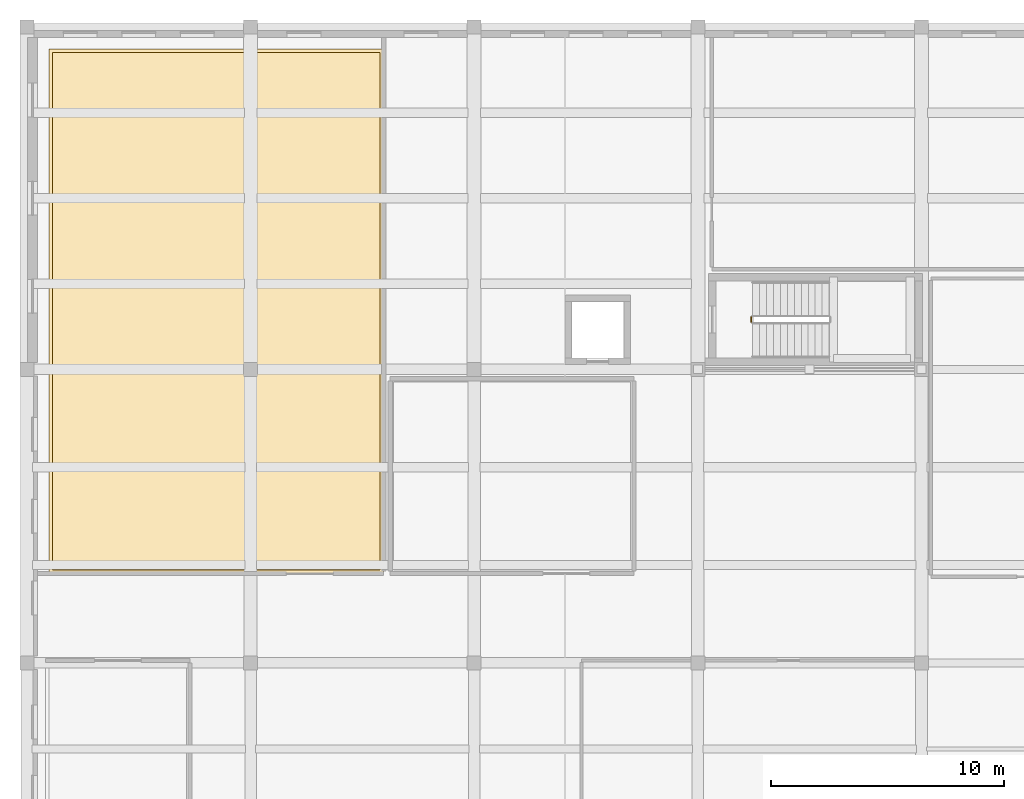
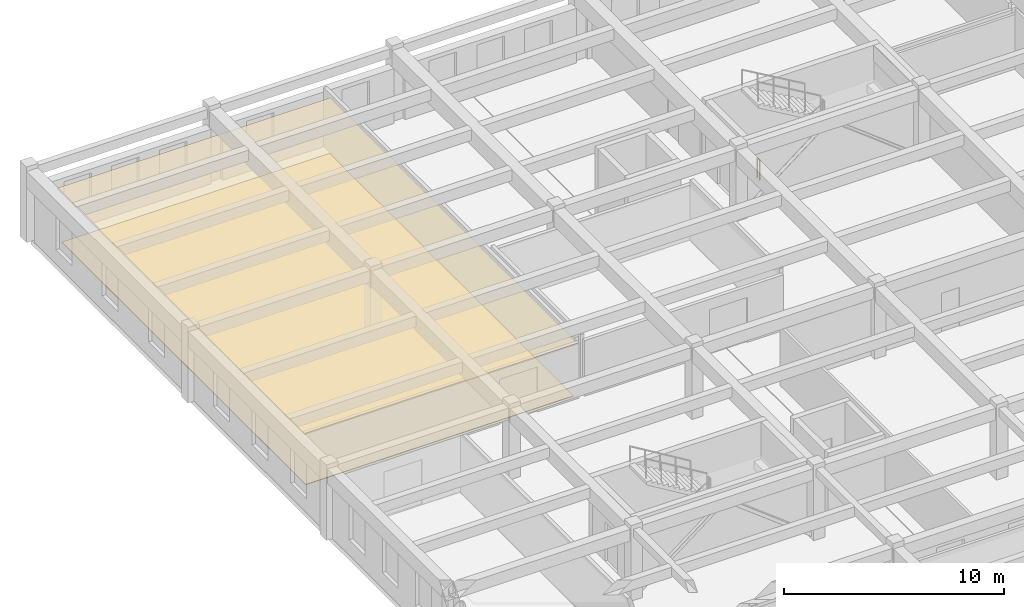
# One storey, part 39 of 46: 2 coverings, 1 railing.
"""IFC4 building model written with IfcOpenShell, lengths in metres."""

from ifc_helpers import new_model, si_unit, direction, frame, origin, origin_2d, place, context, subcontext, project, spatial, polyline, circle, outline, extrude, material, layer, layer_set, type_object, element, save


model = new_model("IFC4")

# Units and contexts
model_context = context("Model", 3, precision=1e-05, world=origin(), true_north=direction((0.0, 1.0)))
body_context = subcontext(model_context, "Body", "Model", "MODEL_VIEW")
ifc_project = project(units=[si_unit("LENGTHUNIT", "METRE"), si_unit("AREAUNIT", "SQUARE_METRE"), si_unit("VOLUMEUNIT", "CUBIC_METRE"), si_unit("PLANEANGLEUNIT", "RADIAN"), si_unit("MASSUNIT", "GRAM", prefix="KILO")], contexts=[model_context])

# Site, building, storey
site_placement = place(None, origin())
site = spatial("IfcSite", under=ifc_project, at=site_placement, CompositionType="ELEMENT")
building_placement = place(site_placement, origin())
building = spatial("IfcBuilding", under=site, at=building_placement, Name="Tarnavel Promenade Courthouse", CompositionType="ELEMENT")
storey_placement = place(building_placement, frame((0.0, 0.0, 14.39990234375)))
storey = spatial("IfcBuildingStorey", under=building, at=storey_placement, Name="L04", CompositionType="ELEMENT", Elevation=14.39990234375)

# Covering
ifc_material_1 = material(Name="Engineered Smoked Oak Courtroom & Chambers Parquet")
ifc_layer_1 = layer(ifc_material_1, 0.031982421875)
ifc_layer_set_1 = layer_set([ifc_layer_1], Name="Engineered Smoked Oak Courtroom & Chambers Parquet")
covering_type_1 = type_object("IfcCoveringType", Name="Engineered Smoked Oak Courtroom & Chambers Parquet (COV-FLR-OAK-32)", PredefinedType="FLOORING", material=ifc_layer_set_1)
covering_1_placement = place(storey_placement, origin())
element("IfcCovering", 1, at=covering_1_placement, inside=storey, type_object=covering_type_1, Name="L04 Administrative Law Courtroom A Architectural Flooring 0024", PredefinedType="FLOORING", context=body_context, shape_type="SweptSolid", body=[
    extrude(outline(polyline([(1.090087890625, 89.489990234375), (15.1640625, 89.489990234375), (15.1640625, 111.7099609375), (1.090087890625, 111.7099609375), (1.090087890625, 89.489990234375)])), origin(), (0.0, 0.0, 1.0), 0.031982421875),
])

# Railing
ifc_material_2 = material(Name="Painted Architectural Steel Core Stair Guardrail", Category="steel")
railing_type = type_object("IfcRailingType", Name="Painted Architectural Steel Core Stair Guardrail (RL-GRD-1100)", PredefinedType="GUARDRAIL", material=ifc_material_2)
railing_placement = place(storey_placement, frame((31.090087890625, 100.139892578125, 0.0)))
element("IfcRailing", 2, at=railing_placement, inside=storey, type_object=railing_type, Name="L04 ST-07 stair guard 4", PredefinedType="GUARDRAIL", context=body_context, shape_type="SweptSolid", body=[
    extrude(circle(Radius=0.02392578125, at=origin_2d()), frame((0.0, 0.0, 1.076171875), z_axis=(0.0, 1.0, 0.0), x_axis=(-1.0, 0.0, 0.0)), (0.0, 0.0, 1.0), 0.2001953125),
    extrude(circle(Radius=0.02099609375, at=origin_2d()), origin(), (0.0, 0.0, 1.0), 1.052001953125),
    extrude(circle(Radius=0.02099609375, at=origin_2d()), frame((0.0, 0.2001953125, 0.0)), (0.0, 0.0, 1.0), 1.052001953125),
])

# Covering
ifc_material_3 = material(Name="Slatted Acoustic White Oak Baffle Ceiling")
ifc_layer_2 = layer(ifc_material_3, 0.06494140625)
ifc_layer_set_2 = layer_set([ifc_layer_2], Name="Slatted Acoustic White Oak Baffle Ceiling")
covering_type_2 = type_object("IfcCoveringType", Name="Slatted Acoustic White Oak Baffle Ceiling (COV-CLG-OAK-65)", PredefinedType="CEILING", material=ifc_layer_set_2)
covering_2_placement = place(storey_placement, frame((0.0, 0.0, 2.925048828125)))
element("IfcCovering", 3, at=covering_2_placement, inside=storey, type_object=covering_type_2, Name="L04 Administrative Law Courtroom A Acoustic Ceiling 0024", PredefinedType="CEILING", context=body_context, shape_type="SweptSolid", body=[
    extrude(outline(polyline([(0.93994140625, 89.340087890625), (15.31396484375, 89.340087890625), (15.31396484375, 111.860107421875), (0.93994140625, 111.860107421875), (0.93994140625, 89.340087890625)])), origin(), (0.0, 0.0, 1.0), 0.06494140625),
])

save(model, "model.ifc")
